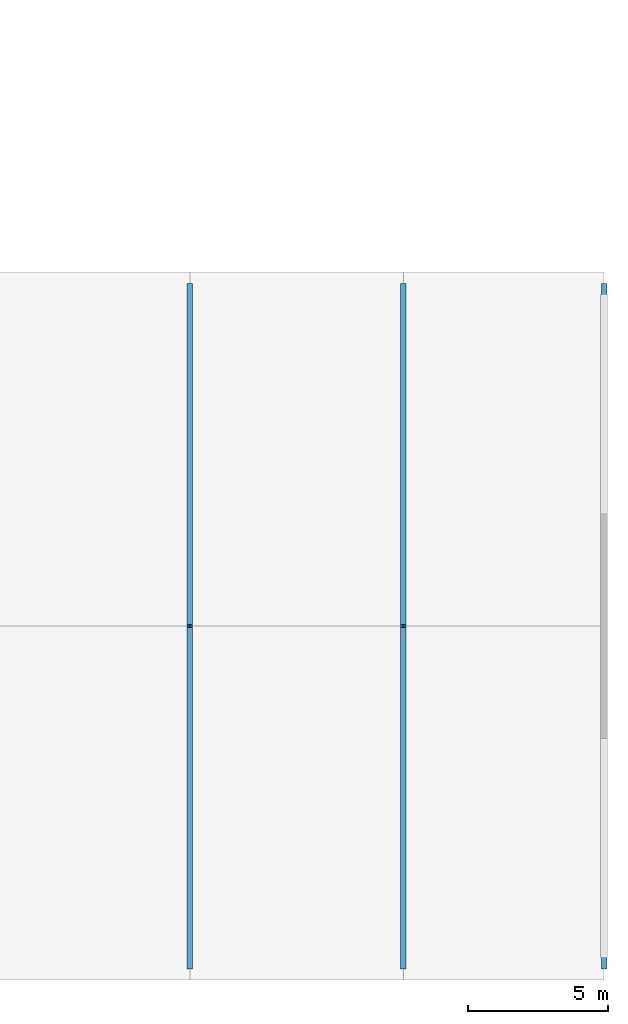
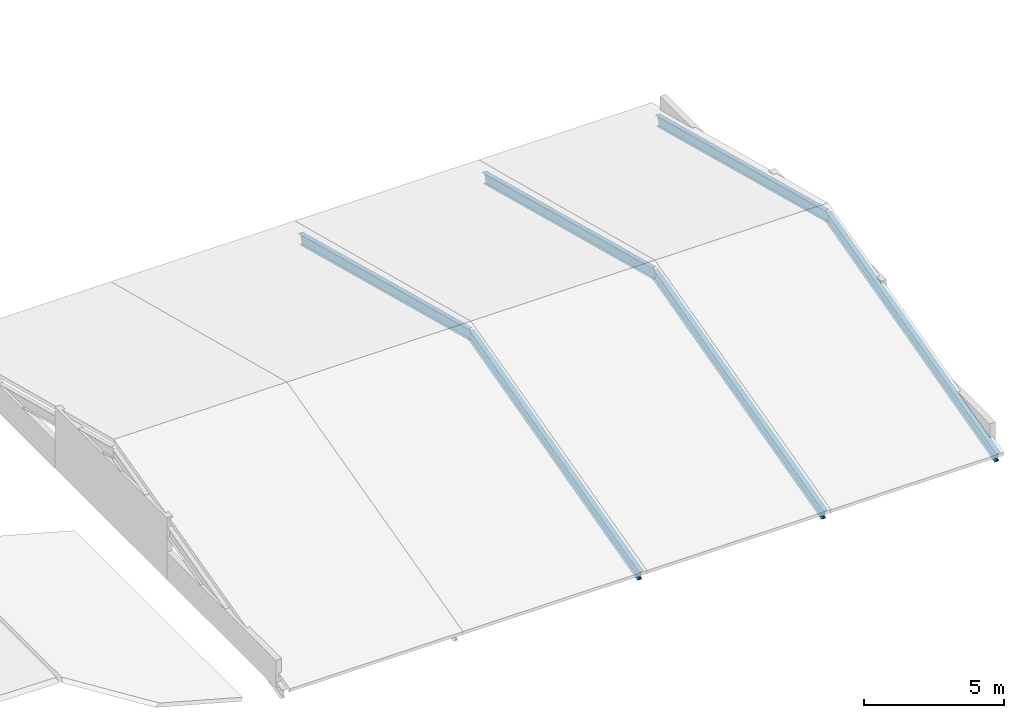
# One storey, part 18 of 83: 6 members.
"""IFC4 building model written with IfcOpenShell, lengths in metres."""

from ifc_helpers import new_model, si_unit, direction, frame, origin, origin_2d, place, context, subcontext, project, spatial, i_section, extrude, material, material_profile, profile_set, type_object, element, save


model = new_model("IFC4")

# Units and contexts
model_context = context("Model", 3, precision=1e-05, world=origin(), true_north=direction((0.0, 1.0)))
body_context = subcontext(model_context, "Body", "Model", "MODEL_VIEW")
ifc_project = project(units=[si_unit("LENGTHUNIT", "METRE"), si_unit("AREAUNIT", "SQUARE_METRE"), si_unit("VOLUMEUNIT", "CUBIC_METRE"), si_unit("PLANEANGLEUNIT", "RADIAN"), si_unit("MASSUNIT", "GRAM", prefix="KILO")], contexts=[model_context])

# Site, building, storey
site_placement = place(None, origin())
site = spatial("IfcSite", under=ifc_project, at=site_placement, CompositionType="ELEMENT")
building_placement = place(site_placement, origin())
building = spatial("IfcBuilding", under=site, at=building_placement, Name="Saryqyr Civic Hall", CompositionType="ELEMENT")
storey_placement = place(building_placement, frame((0.0, 0.0, 9.14990234375)))
storey = spatial("IfcBuildingStorey", under=building, at=storey_placement, Name="L02", CompositionType="ELEMENT", Elevation=9.14990234375)

# Members
ifc_material = material(Name="Steel S355", Category="steel")
ifc_material_profile = material_profile(ifc_material, i_section(OverallWidth=0.18994140625, OverallDepth=0.449951171875, WebThickness=0.009521484375, FlangeThickness=0.0146484375, at=origin_2d()), Name="IPE 450")
ifc_profile_set = profile_set([ifc_material_profile], Name="Steel S355")
member_type = type_object("IfcMemberType", Name="STR-RAF-IPE450", PredefinedType="RAFTER", material=ifc_profile_set)
member_1_placement = place(storey_placement, frame((98.800048828125, 0.449951171875, -0.489990234375), z_axis=(0.0, 0.967301750199, 0.253628318732), x_axis=(-1.0, 0.0, 0.0)))
element("IfcMember", 1, at=member_1_placement, inside=storey, type_object=member_type, Name="V7E-RAF-S-2-98", PredefinedType="RAFTER", context=body_context, shape_type="SweptSolid", body=[
    extrude(i_section(OverallWidth=0.18994140625, OverallDepth=0.449951171875, WebThickness=0.009521484375, FlangeThickness=0.0146484375, at=origin_2d()), origin(), (0.0, 0.0, 1.0), 12.560791015625),
])
member_2_placement = place(storey_placement, frame((98.800048828125, 24.75, -0.489990234375), z_axis=(0.0, -0.967300499858, 0.253633087302), x_axis=(1.0, 0.0, 0.0)))
element("IfcMember", 2, at=member_2_placement, inside=storey, type_object=member_type, Name="V7E-RAF-N-2-98", PredefinedType="RAFTER", context=body_context, shape_type="SweptSolid", body=[
    extrude(i_section(OverallWidth=0.18994140625, OverallDepth=0.449951171875, WebThickness=0.009521484375, FlangeThickness=0.0146484375, at=origin_2d()), origin(), (0.0, 0.0, 1.0), 12.560546875),
])
member_3_placement = place(storey_placement, frame((106.39990234375, 0.449951171875, -0.489990234375), z_axis=(0.0, 0.967301750199, 0.253628318732), x_axis=(-1.0, 0.0, 0.0)))
element("IfcMember", 3, at=member_3_placement, inside=storey, type_object=member_type, Name="V7E-RAF-S-3-106", PredefinedType="RAFTER", context=body_context, shape_type="SweptSolid", body=[
    extrude(i_section(OverallWidth=0.18994140625, OverallDepth=0.449951171875, WebThickness=0.009521484375, FlangeThickness=0.0146484375, at=origin_2d()), origin(), (0.0, 0.0, 1.0), 12.560791015625),
])
member_4_placement = place(storey_placement, frame((106.39990234375, 24.75, -0.489990234375), z_axis=(0.0, -0.967300499858, 0.253633087302), x_axis=(1.0, 0.0, 0.0)))
element("IfcMember", 4, at=member_4_placement, inside=storey, type_object=member_type, Name="V7E-RAF-N-3-106", PredefinedType="RAFTER", context=body_context, shape_type="SweptSolid", body=[
    extrude(i_section(OverallWidth=0.18994140625, OverallDepth=0.449951171875, WebThickness=0.009521484375, FlangeThickness=0.0146484375, at=origin_2d()), origin(), (0.0, 0.0, 1.0), 12.560546875),
])
member_5_placement = place(storey_placement, frame((113.550048828125, 0.449951171875, -0.489990234375), z_axis=(0.0, 0.967301750199, 0.253628318732), x_axis=(-1.0, 0.0, 0.0)))
element("IfcMember", 5, at=member_5_placement, inside=storey, type_object=member_type, Name="V7E-RAF-S-4-113", PredefinedType="RAFTER", context=body_context, shape_type="SweptSolid", body=[
    extrude(i_section(OverallWidth=0.18994140625, OverallDepth=0.449951171875, WebThickness=0.009521484375, FlangeThickness=0.0146484375, at=origin_2d()), origin(), (0.0, 0.0, 1.0), 12.560791015625),
])
member_6_placement = place(storey_placement, frame((113.550048828125, 24.75, -0.489990234375), z_axis=(0.0, -0.967300499858, 0.253633087302), x_axis=(1.0, 0.0, 0.0)))
element("IfcMember", 6, at=member_6_placement, inside=storey, type_object=member_type, Name="V7E-RAF-N-4-113", PredefinedType="RAFTER", context=body_context, shape_type="SweptSolid", body=[
    extrude(i_section(OverallWidth=0.18994140625, OverallDepth=0.449951171875, WebThickness=0.009521484375, FlangeThickness=0.0146484375, at=origin_2d()), origin(), (0.0, 0.0, 1.0), 12.560546875),
])

save(model, "model.ifc")
